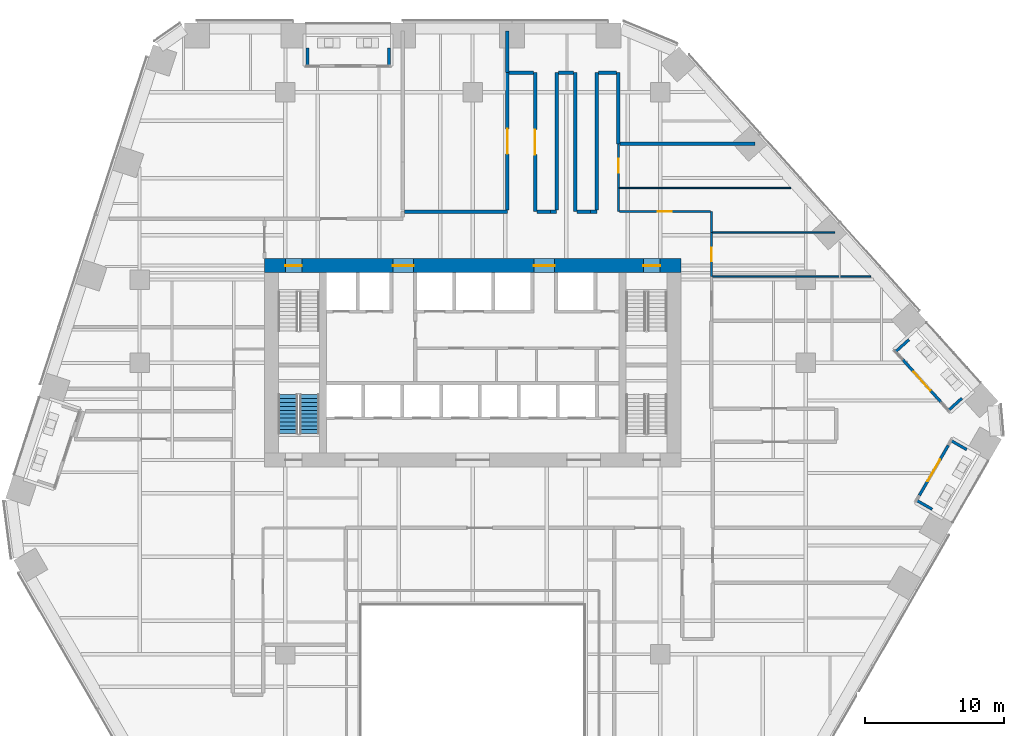
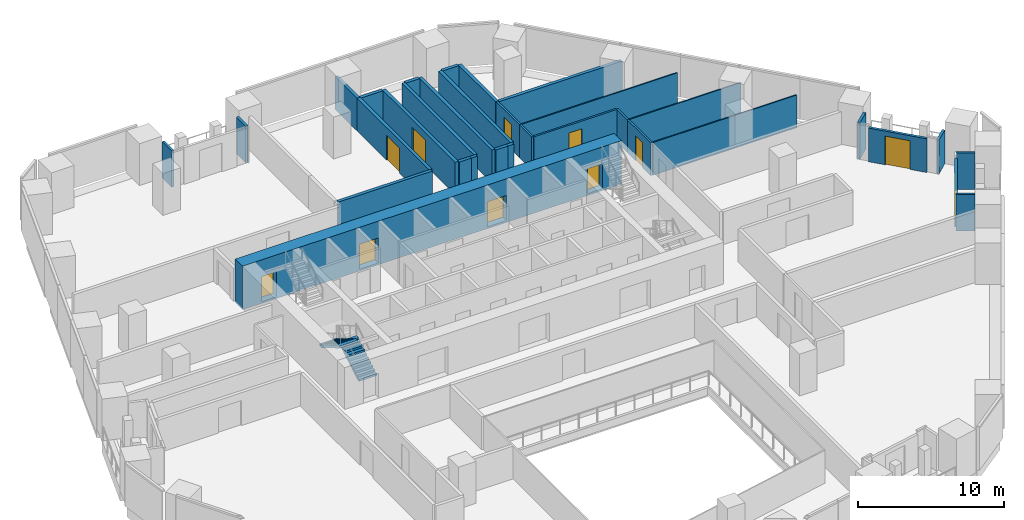
# One storey, part 25 of 31: 33 walls, 11 doors, 2 stair flights, 11 openings, 1 element without a shape of its own.
"""IFC4 building model written with IfcOpenShell, lengths in metres."""

import ifcopenshell
import ifcopenshell.guid

model = None  # the IFC model being written
_history = None  # IfcOwnerHistory: only IFC2X3 demands one
_inside = {}  # id of a spatial element -> (the spatial element, [elements in it])
_under = {}  # id of a project, library or spatial element -> (it, [spatial elements below it])
_declared = {}  # id of a project -> (the project, [libraries it declares])
_typed = {}  # id of a type object -> (the type object, [elements of that type])
_made_of = {}  # id of a material, layer set ... -> (it, [elements and type objects made of it])


def new_model(schema):
    """Start an empty IFC model of exactly this schema.

    Asked for "IFC4X3", IfcOpenShell would pick the latest addendum, in which some entities
    have other attributes; the version numbers below select the first issue.
    IFC2X3 requires an IfcOwnerHistory on every rooted entity: one is made here for all.
    """
    global model, _history
    if schema == "IFC4X3":
        model = ifcopenshell.file(schema_version=(4, 3, 0, 0))
    else:
        model = ifcopenshell.file(schema=schema)
    _inside.clear()
    _under.clear()
    _declared.clear()
    _typed.clear()
    _made_of.clear()
    _history = None
    if model.schema == "IFC2X3":
        org = make("IfcOrganization", Name="unknown")
        user = make(
            "IfcPersonAndOrganization",
            ThePerson=make("IfcPerson", FamilyName="unknown"),
            TheOrganization=org,
        )
        app = make(
            "IfcApplication",
            ApplicationDeveloper=org,
            Version="unknown",
            ApplicationFullName="unknown",
            ApplicationIdentifier="unknown",
        )
        _history = make(
            "IfcOwnerHistory",
            OwningUser=user,
            OwningApplication=app,
            ChangeAction="ADDED",
            CreationDate=0,
        )
    return model


def make(cls, **values):
    """One entity of the class cls with the attributes given. An attribute that is None is left unset."""
    return model.create_entity(
        cls, **{name: value for name, value in values.items() if value is not None}
    )


def rooted(cls, **values):
    """An entity with a GlobalId (a new one), such as an element, a storey or a relation."""
    return make(cls, GlobalId=ifcopenshell.guid.new(), OwnerHistory=_history, **values)


def si_unit(unit_type, name, prefix=None):
    """IfcSIUnit, for example si_unit("LENGTHUNIT", "METRE", prefix="MILLI")."""
    return make("IfcSIUnit", UnitType=unit_type, Prefix=prefix, Name=name)


def assignment(units):
    """IfcUnitAssignment: the units of a project."""
    return None if units is None else make("IfcUnitAssignment", Units=units)


def point(xyz):
    """IfcCartesianPoint."""
    return None if xyz is None else make("IfcCartesianPoint", Coordinates=xyz)


def direction(xyz):
    """IfcDirection."""
    return None if xyz is None else make("IfcDirection", DirectionRatios=xyz)


def frame(location, z_axis=None, x_axis=None):
    """IfcAxis2Placement3D, a coordinate frame: its origin and axes. An axis left out is left unset."""
    return make(
        "IfcAxis2Placement3D",
        Location=point(location),
        Axis=direction(z_axis),
        RefDirection=direction(x_axis),
    )


def frame_2d(location, x_axis=None):
    """IfcAxis2Placement2D, a coordinate frame in the plane: its origin and x axis."""
    return make(
        "IfcAxis2Placement2D", Location=point(location), RefDirection=direction(x_axis)
    )


def origin():
    """The frame at (0, 0, 0) with its axes left unset."""
    return frame((0.0, 0.0, 0.0))


def place(relative_to, where):
    """IfcLocalPlacement: puts the frame where relative to a parent placement (None: the world)."""
    return make(
        "IfcLocalPlacement", PlacementRelTo=relative_to, RelativePlacement=where
    )


def context(
    kind, dimensions, precision=None, world=None, true_north=None, identifier=None
):
    """IfcGeometricRepresentationContext, for example the 3D "Model" context."""
    return make(
        "IfcGeometricRepresentationContext",
        ContextIdentifier=identifier,
        ContextType=kind,
        CoordinateSpaceDimension=dimensions,
        Precision=precision,
        WorldCoordinateSystem=world,
        TrueNorth=true_north,
    )


def subcontext(parent, identifier, kind, view, scale=None):
    """IfcGeometricRepresentationSubContext, for example "Body" below "Model"."""
    return make(
        "IfcGeometricRepresentationSubContext",
        ContextIdentifier=identifier,
        ContextType=kind,
        ParentContext=parent,
        TargetScale=scale,
        TargetView=view,
    )


def project(units=None, contexts=None):
    """IfcProject with its units and contexts."""
    return rooted(
        "IfcProject",
        Name="project",
        RepresentationContexts=contexts,
        UnitsInContext=assignment(units),
    )


def spatial(cls, under=None, at=None, **own):
    """A site, building, storey or space (cls), placed at a placement, below another one or the project."""
    s = rooted(cls, ObjectPlacement=at, **own)
    if under is not None:
        _under.setdefault(under.id(), (under, []))[1].append(s)
    return s


def polyline(points):
    """IfcPolyline through the points."""
    return make("IfcPolyline", Points=[point(p) for p in points])


def profile(cls, at=None, kind="AREA", **sizes):
    """A parametric profile (cls). Its sizes go by their IFC names, for example OverallWidth=200.0."""
    return make(cls, ProfileType=kind, Position=at, **sizes)


def rectangle(**sizes):
    """IfcRectangleProfileDef."""
    return profile("IfcRectangleProfileDef", **sizes)


def outline(outer, holes=None, kind="AREA"):
    """IfcArbitraryClosedProfileDef: a profile drawn as a closed curve; with holes, ...WithVoids."""
    if holes is None:
        return make("IfcArbitraryClosedProfileDef", ProfileType=kind, OuterCurve=outer)
    return make(
        "IfcArbitraryProfileDefWithVoids",
        ProfileType=kind,
        OuterCurve=outer,
        InnerCurves=holes,
    )


def extrude(swept, where, along, depth):
    """IfcExtrudedAreaSolid: the profile swept, set in the frame where, extruded along a direction by depth."""
    return make(
        "IfcExtrudedAreaSolid",
        SweptArea=swept,
        Position=where,
        ExtrudedDirection=direction(along),
        Depth=depth,
    )


def shape(context_of_items, identifier, shape_type, items):
    """IfcShapeRepresentation: the items that make up one representation, for example the "Body"."""
    return make(
        "IfcShapeRepresentation",
        ContextOfItems=context_of_items,
        RepresentationIdentifier=identifier,
        RepresentationType=shape_type,
        Items=items,
    )


def material(Name=None, Category=None):
    """IfcMaterial."""
    return make("IfcMaterial", Name=Name, Category=Category)


def layer(
    of_material, thickness, ventilated=None, Name=None, Category=None, Priority=None
):
    """IfcMaterialLayer: one layer of a wall or slab, of a material (None: an air gap)."""
    return make(
        "IfcMaterialLayer",
        Material=of_material,
        LayerThickness=thickness,
        IsVentilated=ventilated,
        Name=Name,
        Category=Category,
        Priority=Priority,
    )


def layer_set(layers, Name=None):
    """IfcMaterialLayerSet."""
    return make("IfcMaterialLayerSet", MaterialLayers=layers, LayerSetName=Name)


def made_of(thing, what):
    """Note that an element or type object is made of a material, layer set ...; save() writes the relation."""
    if what is not None:
        _made_of.setdefault(what.id(), (what, []))[1].append(thing)
    return thing


def type_object(cls, material=None, **own):
    """A type object (cls), such as IfcWallType, which elements share."""
    return made_of(rooted(cls, **own), material)


def element(
    cls,
    number,
    at=None,
    inside=None,
    cuts=None,
    type_object=None,
    material=None,
    context=None,
    identifier="Body",
    shape_type=None,
    held_by="IfcProductDefinitionShape",
    body=None,
    shapes=None,
    **own,
):
    """One element of the class cls, such as IfcWall. Its Tag is "e" and its number.

    at: its placement. inside: the storey or other place that contains it. cuts: it is an
    opening in that element (IfcRelVoidsElement). A single representation is given by context,
    identifier, shape_type and body (its items); several are given by shapes. held_by: the class
    of the entity that holds the representations. save() writes the other relations.
    """
    e = rooted(cls, Tag="e%d" % number, ObjectPlacement=at, **own)
    if body is not None:
        shapes = [shape(context, identifier, shape_type, body)]
    if shapes is not None:
        e.Representation = make(held_by, Representations=shapes)
    if inside is not None:
        _inside.setdefault(inside.id(), (inside, []))[1].append(e)
    if cuts is not None:
        rooted(
            "IfcRelVoidsElement", RelatingBuildingElement=cuts, RelatedOpeningElement=e
        )
    if type_object is not None:
        _typed.setdefault(type_object.id(), (type_object, []))[1].append(e)
    return made_of(e, material)


def fill(opening, filler):
    """IfcRelFillsElement: the door or window that sits in an opening."""
    return rooted(
        "IfcRelFillsElement",
        RelatingOpeningElement=opening,
        RelatedBuildingElement=filler,
    )


def aggregate(whole, parts):
    """IfcRelAggregates: a whole, such as a stair, and the parts it consists of."""
    return rooted("IfcRelAggregates", RelatingObject=whole, RelatedObjects=parts)


def save(model, path):
    """Write the relations noted so far, then the file.

    IfcRelAggregates (storeys below a building ...), IfcRelContainedInSpatialStructure (elements
    in a storey), IfcRelDefinesByType, IfcRelAssociatesMaterial and IfcRelDeclares: one each for
    every whole, place, type object, material and project.
    """
    for whole, parts in _under.values():
        aggregate(whole, parts)
    for where, things in _inside.values():
        rooted(
            "IfcRelContainedInSpatialStructure",
            RelatedElements=things,
            RelatingStructure=where,
        )
    for kind, things in _typed.values():
        rooted("IfcRelDefinesByType", RelatedObjects=things, RelatingType=kind)
    for what, things in _made_of.values():
        rooted("IfcRelAssociatesMaterial", RelatedObjects=things, RelatingMaterial=what)
    for by, libraries in _declared.values():
        rooted("IfcRelDeclares", RelatingContext=by, RelatedDefinitions=libraries)
    model.write(path)


model = new_model("IFC4")

# Units and contexts
model_context = context("Model", 3, precision=1e-05, world=origin(), true_north=direction((0.0, 1.0)))
body_context = subcontext(model_context, "Body", "Model", "MODEL_VIEW")
ifc_project = project(units=[si_unit("LENGTHUNIT", "METRE"), si_unit("AREAUNIT", "SQUARE_METRE"), si_unit("VOLUMEUNIT", "CUBIC_METRE"), si_unit("PLANEANGLEUNIT", "RADIAN"), si_unit("MASSUNIT", "GRAM", prefix="KILO")], contexts=[model_context])

# Site, building, storey
site_placement = place(None, origin())
site = spatial("IfcSite", under=ifc_project, at=site_placement, CompositionType="ELEMENT")
building_placement = place(site_placement, origin())
building = spatial("IfcBuilding", under=site, at=building_placement, Name="Isthmus Gate Tower", CompositionType="ELEMENT")
storey_placement = place(building_placement, frame((0.0, 0.0, 54.25)))
storey = spatial("IfcBuildingStorey", under=building, at=storey_placement, Name="L11", CompositionType="ELEMENT", Elevation=54.25)

# Wall, opening, door
ifc_material_1 = material(Name="Double-leaf acoustic stud wall, fire-rated", Category="gypsum")
ifc_layer_1 = layer(ifc_material_1, 0.25)
ifc_layer_set_1 = layer_set([ifc_layer_1], Name="ACOUSTIC WALL 250 60 MIN")
wall_type_1 = type_object("IfcWallType", Name="ACOUSTIC WALL 250 60 MIN", PredefinedType="PARTITIONING", material=ifc_layer_set_1)
wall_1_placement = place(storey_placement, frame((4.5, 28.39990234375, 0.0), z_axis=(0.0, 0.0, 1.0), x_axis=(0.0, -1.0, 0.0)))
wall_1 = element("IfcWall", 1, at=wall_1_placement, inside=storey, type_object=wall_type_1, Name="L11 Acoustic Wall 250 60 Min", PredefinedType="PARTITIONING", context=body_context, shape_type="SweptSolid", body=[
    extrude(rectangle(XDim=10.0, YDim=0.25, at=frame_2d((5.0, 0.0))), origin(), (0.0, 0.0, 1.0), 2.7412109375),
])
opening_1_placement = place(wall_1_placement, frame((4.10009765625, 0.0, 0.0)))
opening_1 = element("IfcOpeningElement", 2, at=opening_1_placement, cuts=wall_1, Name="Opening DT-T1B-03", PredefinedType="OPENING", context=body_context, shape_type="SweptSolid", body=[
    extrude(rectangle(XDim=1.800048828125, YDim=2.10009765625, at=frame_2d((0.89990234375, 1.050048828125))), frame((0.0, 0.135009765625, 0.0), z_axis=(0.0, -1.0, 0.0), x_axis=(1.0, 0.0, 0.0)), (0.0, 0.0, 1.0), 0.27001953125),
])
ifc_material_2 = material(Name="Solid core timber door leaf, fire-rated", Category="wood")
door_type_1 = type_object("IfcDoorType", Name="FIRE DOOR ACOUSTIC ROOM 1800 X 2100 60 MIN", OperationType="DOUBLE_DOOR_DOUBLE_SWING", PredefinedType="DOOR", material=ifc_material_2)
door_1_placement = place(opening_1_placement, origin())
door_1 = element("IfcDoor", 3, at=door_1_placement, inside=storey, type_object=door_type_1, Name="L11 room door", OperationType="DOUBLE_DOOR_DOUBLE_SWING", OverallHeight=2.10009765625, OverallWidth=1.800048828125, PredefinedType="DOOR", context=body_context, shape_type="SweptSolid", body=[
    extrude(rectangle(XDim=1.800048828125, YDim=2.10009765625, at=frame_2d((0.89990234375, 1.050048828125))), frame((0.0, 0.02490234375, 0.0), z_axis=(0.0, -1.0, 0.0), x_axis=(1.0, 0.0, 0.0)), (0.0, 0.0, 1.0), 0.050048828125),
])
fill(opening_1, door_1)

# Walls
wall_2_placement = place(storey_placement, frame((7.39990234375, 28.39990234375, 0.0), z_axis=(0.0, 0.0, 1.0), x_axis=(0.0, -1.0, 0.0)))
element("IfcWall", 4, at=wall_2_placement, inside=storey, type_object=wall_type_1, Name="L11 Acoustic Wall 250 60 Min", PredefinedType="PARTITIONING", context=body_context, shape_type="SweptSolid", body=[
    extrude(rectangle(XDim=10.0, YDim=0.25, at=frame_2d((5.0, 0.0))), origin(), (0.0, 0.0, 1.0), 2.7412109375),
])
wall_3_placement = place(storey_placement, frame((10.5, 28.39990234375, 0.0), z_axis=(0.0, 0.0, 1.0), x_axis=(0.0, -1.0, 0.0)))
element("IfcWall", 5, at=wall_3_placement, inside=storey, type_object=wall_type_1, Name="L11 Acoustic Wall 250 60 Min", PredefinedType="PARTITIONING", context=body_context, shape_type="SweptSolid", body=[
    extrude(rectangle(XDim=5.116943359375, YDim=0.25, at=frame_2d((2.55859375, 0.0))), origin(), (0.0, 0.0, 1.0), 2.7412109375),
])
wall_4_placement = place(storey_placement, frame((-4.909912109375, 18.39990234375, 0.0), z_axis=(0.0, 0.0, 1.0), x_axis=(1.0, 0.0, 0.0)))
element("IfcWall", 6, at=wall_4_placement, inside=storey, type_object=wall_type_1, Name="L11 Acoustic Wall 250 60 Min", PredefinedType="PARTITIONING", context=body_context, shape_type="SweptSolid", body=[
    extrude(rectangle(XDim=7.409912109375, YDim=0.25, at=frame_2d((3.705078125, 0.0))), origin(), (0.0, 0.0, 1.0), 2.7412109375),
])

# Wall, opening, door
wall_5_placement = place(storey_placement, frame((2.5, 18.52490234375, 0.0), z_axis=(0.0, 0.0, 1.0), x_axis=(0.0, 1.0, 0.0)))
wall_5 = element("IfcWall", 7, at=wall_5_placement, inside=storey, type_object=wall_type_1, Name="L11 Acoustic Wall 250 60 Min", PredefinedType="PARTITIONING", context=body_context, shape_type="SweptSolid", body=[
    extrude(rectangle(XDim=9.875, YDim=0.25, at=frame_2d((4.9375, 0.0))), origin(), (0.0, 0.0, 1.0), 2.7412109375),
])
opening_2_placement = place(wall_5_placement, frame((4.03759765625, 0.0, 0.0)))
opening_2 = element("IfcOpeningElement", 8, at=opening_2_placement, cuts=wall_5, Name="Opening DT-T1B-02", PredefinedType="OPENING", context=body_context, shape_type="SweptSolid", body=[
    extrude(rectangle(XDim=1.800048828125, YDim=2.10009765625, at=frame_2d((0.89990234375, 1.050048828125))), frame((0.0, 0.135009765625, 0.0), z_axis=(0.0, -1.0, 0.0), x_axis=(1.0, 0.0, 0.0)), (0.0, 0.0, 1.0), 0.27001953125),
])
door_2_placement = place(opening_2_placement, origin())
door_2 = element("IfcDoor", 9, at=door_2_placement, inside=storey, type_object=door_type_1, Name="L11 room door", OperationType="DOUBLE_DOOR_DOUBLE_SWING", OverallHeight=2.10009765625, OverallWidth=1.800048828125, PredefinedType="DOOR", context=body_context, shape_type="SweptSolid", body=[
    extrude(rectangle(XDim=1.800048828125, YDim=2.10009765625, at=frame_2d((0.89990234375, 1.050048828125))), frame((0.0, 0.02490234375, 0.0), z_axis=(0.0, -1.0, 0.0), x_axis=(1.0, 0.0, 0.0)), (0.0, 0.0, 1.0), 0.050048828125),
])
fill(opening_2, door_2)

# Walls
wall_6_placement = place(storey_placement, frame((2.498046875, 28.39990234375, 0.0), z_axis=(0.0, 0.0, 1.0), x_axis=(0.0, 1.0, 0.0)))
element("IfcWall", 10, at=wall_6_placement, inside=storey, type_object=wall_type_1, Name="L11 Acoustic Wall 250 60 Min", PredefinedType="PARTITIONING", context=body_context, shape_type="SweptSolid", body=[
    extrude(rectangle(XDim=3.0, YDim=0.25, at=frame_2d((1.5, 0.0))), origin(), (0.0, 0.0, 1.0), 2.7412109375),
])
wall_7_placement = place(storey_placement, frame((2.625, 28.39990234375, 0.0), z_axis=(0.0, 0.0, 1.0), x_axis=(1.0, 0.0, 0.0)))
element("IfcWall", 11, at=wall_7_placement, inside=storey, type_object=wall_type_1, Name="L11 Acoustic Wall 250 60 Min", PredefinedType="PARTITIONING", context=body_context, shape_type="SweptSolid", body=[
    extrude(rectangle(XDim=1.75, YDim=0.25, at=frame_2d((0.875, 0.0))), origin(), (0.0, 0.0, 1.0), 2.7412109375),
])
wall_8_placement = place(storey_placement, frame((4.625, 18.39990234375, 0.0), z_axis=(0.0, 0.0, 1.0), x_axis=(1.0, 0.0, 0.0)))
element("IfcWall", 12, at=wall_8_placement, inside=storey, type_object=wall_type_1, Name="L11 Acoustic Wall 250 60 Min", PredefinedType="PARTITIONING", context=body_context, shape_type="SweptSolid", body=[
    extrude(rectangle(XDim=0.972900390625, YDim=0.25, at=frame_2d((0.486328125, 0.0))), origin(), (0.0, 0.0, 1.0), 2.7412109375),
])
wall_9_placement = place(storey_placement, frame((5.597900390625, 18.39794921875, 0.0), z_axis=(0.0, 0.0, 1.0), x_axis=(1.0, 0.0, 0.0)))
element("IfcWall", 13, at=wall_9_placement, inside=storey, type_object=wall_type_1, Name="L11 Acoustic Wall 250 60 Min", PredefinedType="PARTITIONING", context=body_context, shape_type="SweptSolid", body=[
    extrude(rectangle(XDim=0.4541015625, YDim=0.25, at=frame_2d((0.22705078125, 0.0))), origin(), (0.0, 0.0, 1.0), 2.7412109375),
])
wall_10_placement = place(storey_placement, frame((6.052001953125, 18.52294921875, 0.0), z_axis=(0.0, 0.0, 1.0), x_axis=(0.0, 1.0, 0.0)))
element("IfcWall", 14, at=wall_10_placement, inside=storey, type_object=wall_type_1, Name="L11 Acoustic Wall 250 60 Min", PredefinedType="PARTITIONING", context=body_context, shape_type="SweptSolid", body=[
    extrude(rectangle(XDim=9.876953125, YDim=0.25, at=frame_2d((4.9384765625, 0.0))), origin(), (0.0, 0.0, 1.0), 2.7412109375),
])
wall_11_placement = place(storey_placement, frame((6.177001953125, 28.39990234375, 0.0), z_axis=(0.0, 0.0, 1.0), x_axis=(1.0, 0.0, 0.0)))
element("IfcWall", 15, at=wall_11_placement, inside=storey, type_object=wall_type_1, Name="L11 Acoustic Wall 250 60 Min", PredefinedType="PARTITIONING", context=body_context, shape_type="SweptSolid", body=[
    extrude(rectangle(XDim=1.097900390625, YDim=0.25, at=frame_2d((0.548828125, 0.0))), origin(), (0.0, 0.0, 1.0), 2.7412109375),
])
wall_12_placement = place(storey_placement, frame((7.52490234375, 18.39990234375, 0.0), z_axis=(0.0, 0.0, 1.0), x_axis=(1.0, 0.0, 0.0)))
element("IfcWall", 16, at=wall_12_placement, inside=storey, type_object=wall_type_1, Name="L11 Acoustic Wall 250 60 Min", PredefinedType="PARTITIONING", context=body_context, shape_type="SweptSolid", body=[
    extrude(rectangle(XDim=0.97314453125, YDim=0.25, at=frame_2d((0.486572265625, 0.0))), origin(), (0.0, 0.0, 1.0), 2.7412109375),
])
wall_13_placement = place(storey_placement, frame((8.498046875, 18.39794921875, 0.0), z_axis=(0.0, 0.0, 1.0), x_axis=(1.0, 0.0, 0.0)))
element("IfcWall", 17, at=wall_13_placement, inside=storey, type_object=wall_type_1, Name="L11 Acoustic Wall 250 60 Min", PredefinedType="PARTITIONING", context=body_context, shape_type="SweptSolid", body=[
    extrude(rectangle(XDim=0.453857421875, YDim=0.25, at=frame_2d((0.22705078125, 0.0))), origin(), (0.0, 0.0, 1.0), 2.7412109375),
])
wall_14_placement = place(storey_placement, frame((8.951904296875, 18.52294921875, 0.0), z_axis=(0.0, 0.0, 1.0), x_axis=(0.0, 1.0, 0.0)))
element("IfcWall", 18, at=wall_14_placement, inside=storey, type_object=wall_type_1, Name="L11 Acoustic Wall 250 60 Min", PredefinedType="PARTITIONING", context=body_context, shape_type="SweptSolid", body=[
    extrude(rectangle(XDim=9.876953125, YDim=0.25, at=frame_2d((4.9384765625, 0.0))), origin(), (0.0, 0.0, 1.0), 2.7412109375),
])
wall_15_placement = place(storey_placement, frame((9.076904296875, 28.39990234375, 0.0), z_axis=(0.0, 0.0, 1.0), x_axis=(1.0, 0.0, 0.0)))
element("IfcWall", 19, at=wall_15_placement, inside=storey, type_object=wall_type_1, Name="L11 Acoustic Wall 250 60 Min", PredefinedType="PARTITIONING", context=body_context, shape_type="SweptSolid", body=[
    extrude(rectangle(XDim=1.298095703125, YDim=0.25, at=frame_2d((0.64892578125, 0.0))), origin(), (0.0, 0.0, 1.0), 2.7412109375),
])
wall_16_placement = place(storey_placement, frame((10.625, 23.282958984375, 0.0), z_axis=(0.0, 0.0, 1.0), x_axis=(1.0, 0.0, 0.0)))
element("IfcWall", 20, at=wall_16_placement, inside=storey, type_object=wall_type_1, Name="L11 Acoustic Wall 250 60 Min", PredefinedType="PARTITIONING", context=body_context, shape_type="SweptSolid", body=[
    extrude(rectangle(XDim=9.721923828125, YDim=0.25, at=frame_2d((4.86083984375, 0.0))), origin(), (0.0, 0.0, 1.0), 2.7412109375),
])

# Wall, opening, door
ifc_material_3 = material(Name="Gypsum board on steel studs, fire-rated", Category="steel")
ifc_layer_2 = layer(ifc_material_3, 0.14990234375)
ifc_layer_set_2 = layer_set([ifc_layer_2], Name="CORRIDOR WALL 150 60 MIN")
wall_type_2 = type_object("IfcWallType", Name="CORRIDOR WALL 150 60 MIN", PredefinedType="PARTITIONING", material=ifc_layer_set_2)
wall_17_placement = place(storey_placement, frame((10.5, 23.282958984375, 0.0), z_axis=(0.0, 0.0, 1.0), x_axis=(0.0, -1.0, 0.0)))
wall_17 = element("IfcWall", 21, at=wall_17_placement, inside=storey, type_object=wall_type_2, Name="L11 Corridor Wall 150 60 Min", PredefinedType="PARTITIONING", context=body_context, shape_type="SweptSolid", body=[
    extrude(rectangle(XDim=3.19091796875, YDim=0.14990234375, at=frame_2d((1.595458984375, 0.0))), origin(), (0.0, 0.0, 1.0), 2.7412109375),
])
opening_3_placement = place(wall_17_placement, frame((1.095458984375, 0.0, 0.0)))
opening_3 = element("IfcOpeningElement", 22, at=opening_3_placement, cuts=wall_17, Name="Opening DT-T1B-04", PredefinedType="OPENING", context=body_context, shape_type="SweptSolid", body=[
    extrude(rectangle(XDim=1.0, YDim=2.10009765625, at=frame_2d((0.5, 1.050048828125))), frame((0.0, 0.0849609375, 0.0), z_axis=(0.0, -1.0, 0.0), x_axis=(1.0, 0.0, 0.0)), (0.0, 0.0, 1.0), 0.169921875),
])
ifc_material_4 = material(Name="Solid core timber door leaf, fire-rated", Category="wood")
door_type_2 = type_object("IfcDoorType", Name="FIRE DOOR ROOM 1000 X 2100 60 MIN", OperationType="SINGLE_SWING_LEFT", PredefinedType="DOOR", material=ifc_material_4)
door_3_placement = place(opening_3_placement, origin())
door_3 = element("IfcDoor", 23, at=door_3_placement, inside=storey, type_object=door_type_2, Name="L11 room door", OperationType="SINGLE_SWING_RIGHT", OverallHeight=2.10009765625, OverallWidth=1.0, PredefinedType="DOOR", context=body_context, shape_type="SweptSolid", body=[
    extrude(rectangle(XDim=1.0, YDim=2.10009765625, at=frame_2d((0.5, 1.050048828125))), frame((0.0, 0.02490234375, 0.0), z_axis=(0.0, -1.0, 0.0), x_axis=(1.0, 0.0, 0.0)), (0.0, 0.0, 1.0), 0.050048828125),
])
fill(opening_3, door_3)

# Walls
wall_18_placement = place(storey_placement, frame((10.5, 20.092041015625, 0.0), z_axis=(0.0, 0.0, 1.0), x_axis=(0.0, -1.0, 0.0)))
element("IfcWall", 24, at=wall_18_placement, inside=storey, type_object=wall_type_2, Name="L11 Corridor Wall 150 60 Min", PredefinedType="PARTITIONING", context=body_context, shape_type="SweptSolid", body=[
    extrude(rectangle(XDim=1.692138671875, YDim=0.14990234375, at=frame_2d((0.84619140625, 0.0))), origin(), (0.0, 0.0, 1.0), 2.7412109375),
])
wall_19_placement = place(storey_placement, frame((17.199951171875, 18.39990234375, 0.0), z_axis=(0.0, 0.0, 1.0), x_axis=(0.0, -1.0, 0.0)))
element("IfcWall", 25, at=wall_19_placement, inside=storey, type_object=wall_type_2, Name="L11 Corridor Wall 150 60 Min", PredefinedType="PARTITIONING", context=body_context, shape_type="SweptSolid", body=[
    extrude(rectangle(XDim=1.5, YDim=0.14990234375, at=frame_2d((0.75, 0.0))), origin(), (0.0, 0.0, 1.0), 2.7412109375),
])

# Wall, opening, door
wall_20_placement = place(storey_placement, frame((17.199951171875, 16.89990234375, 0.0), z_axis=(0.0, 0.0, 1.0), x_axis=(0.0, -1.0, 0.0)))
wall_20 = element("IfcWall", 26, at=wall_20_placement, inside=storey, type_object=wall_type_2, Name="L11 Corridor Wall 150 60 Min", PredefinedType="PARTITIONING", context=body_context, shape_type="SweptSolid", body=[
    extrude(rectangle(XDim=3.19091796875, YDim=0.14990234375, at=frame_2d((1.595458984375, 0.0))), origin(), (0.0, 0.0, 1.0), 2.7412109375),
])
opening_4_placement = place(wall_20_placement, frame((1.095458984375, 0.0, 0.0)))
opening_4 = element("IfcOpeningElement", 27, at=opening_4_placement, cuts=wall_20, Name="Opening DT-T1B-06", PredefinedType="OPENING", context=body_context, shape_type="SweptSolid", body=[
    extrude(rectangle(XDim=1.0, YDim=2.10009765625, at=frame_2d((0.5, 1.050048828125))), frame((0.0, 0.0849609375, 0.0), z_axis=(0.0, -1.0, 0.0), x_axis=(1.0, 0.0, 0.0)), (0.0, 0.0, 1.0), 0.169921875),
])
door_4_placement = place(opening_4_placement, origin())
door_4 = element("IfcDoor", 28, at=door_4_placement, inside=storey, type_object=door_type_2, Name="L11 room door", OperationType="SINGLE_SWING_RIGHT", OverallHeight=2.10009765625, OverallWidth=1.0, PredefinedType="DOOR", context=body_context, shape_type="SweptSolid", body=[
    extrude(rectangle(XDim=1.0, YDim=2.10009765625, at=frame_2d((0.5, 1.050048828125))), frame((0.0, 0.02490234375, 0.0), z_axis=(0.0, -1.0, 0.0), x_axis=(1.0, 0.0, 0.0)), (0.0, 0.0, 1.0), 0.050048828125),
])
fill(opening_4, door_4)

wall_21_placement = place(storey_placement, frame((10.574951171875, 18.39990234375, 0.0), z_axis=(0.0, 0.0, 1.0), x_axis=(1.0, 0.0, 0.0)))
wall_21 = element("IfcWall", 29, at=wall_21_placement, inside=storey, type_object=wall_type_2, Name="L11 Corridor Wall 150 60 Min", PredefinedType="PARTITIONING", context=body_context, shape_type="SweptSolid", body=[
    extrude(rectangle(XDim=6.550048828125, YDim=0.14990234375, at=frame_2d((3.27490234375, 0.0))), origin(), (0.0, 0.0, 1.0), 2.7412109375),
])
opening_5_placement = place(wall_21_placement, frame((2.77490234375, 0.0, 0.0)))
opening_5 = element("IfcOpeningElement", 30, at=opening_5_placement, cuts=wall_21, Name="Opening DT-T1B-05", PredefinedType="OPENING", context=body_context, shape_type="SweptSolid", body=[
    extrude(rectangle(XDim=1.0, YDim=2.10009765625, at=frame_2d((0.5, 1.050048828125))), frame((0.0, 0.0849609375, 0.0), z_axis=(0.0, -1.0, 0.0), x_axis=(1.0, 0.0, 0.0)), (0.0, 0.0, 1.0), 0.169921875),
])
door_5_placement = place(opening_5_placement, origin())
door_5 = element("IfcDoor", 31, at=door_5_placement, inside=storey, type_object=door_type_2, Name="L11 room door", OperationType="SINGLE_SWING_RIGHT", OverallHeight=2.10009765625, OverallWidth=1.0, PredefinedType="DOOR", context=body_context, shape_type="SweptSolid", body=[
    extrude(rectangle(XDim=1.0, YDim=2.10009765625, at=frame_2d((0.5, 1.050048828125))), frame((0.0, 0.02490234375, 0.0), z_axis=(0.0, -1.0, 0.0), x_axis=(1.0, 0.0, 0.0)), (0.0, 0.0, 1.0), 0.050048828125),
])
fill(opening_5, door_5)

# Walls
ifc_material_5 = material(Name="Precast concrete C40/50", Category="concrete")
ifc_layer_3 = layer(ifc_material_5, 0.199951171875)
ifc_layer_set_3 = layer_set([ifc_layer_3], Name="LOGGIA WALL 200")
wall_type_3 = type_object("IfcWallType", Name="LOGGIA WALL 200", PredefinedType="SOLIDWALL", material=ifc_layer_set_3)
for number, where, z_axis, x_axis, name in (
    (32, (-6.037109375, 30.199951171875, 0.0), (0.0, 0.0, 1.0), (0.0, -1.0, 0.0), "LOGGIA SIDE WALL"),
    (33, (-11.90673828125, 30.199951171875, 0.0), (0.0, 0.0, 1.0), (0.0, -1.0, 0.0), "LOGGIA SIDE WALL"),
):
    element("IfcWall", number, at=place(storey_placement, frame(where, z_axis=z_axis, x_axis=x_axis)), inside=storey, type_object=wall_type_3, Name=name, PredefinedType="SOLIDWALL", context=body_context, shape_type="SweptSolid", body=[
        extrude(rectangle(XDim=1.283935546875, YDim=0.199951171875, at=frame_2d((0.64208984375, 0.0))), origin(), (0.0, 0.0, 1.0), 3.050048828125),
    ])

# Wall, opening, door
wall_22_placement = place(storey_placement, frame((32.181396484375, -2.06005859375, 0.0), z_axis=(0.0, 0.0, 1.0), x_axis=(0.500043453909, 0.866000314205, 0.0)))
wall_22 = element("IfcWall", 34, at=wall_22_placement, inside=storey, type_object=wall_type_3, Name="LOGGIA BACK WALL", PredefinedType="SOLIDWALL", context=body_context, shape_type="SweptSolid", body=[
    extrude(rectangle(XDim=4.169677734375, YDim=0.199951171875, at=frame_2d((2.0849609375, 0.0))), origin(), (0.0, 0.0, 1.0), 2.820556640625),
])
opening_6_placement = place(wall_22_placement, frame((1.184814453125, 0.0, 0.0)))
opening_6 = element("IfcOpeningElement", 35, at=opening_6_placement, cuts=wall_22, Name="Opening DE11-05", PredefinedType="OPENING", context=body_context, shape_type="SweptSolid", body=[
    extrude(rectangle(XDim=1.800048828125, YDim=2.39990234375, at=frame_2d((0.89990234375, 1.199951171875))), frame((0.0, 0.10986328125, 0.0), z_axis=(0.0, -1.0, 0.0), x_axis=(1.0, 0.0, 0.0)), (0.0, 0.0, 1.0), 0.219970703125),
])
ifc_material_6 = material(Name="Aluminium, pale champagne anodised, laminated glass", Category="aluminium")
door_type_3 = type_object("IfcDoorType", Name="LOGGIA DOOR SLIDING 1800 X 2400", OperationType="DOUBLE_DOOR_SLIDING", PredefinedType="DOOR", material=ifc_material_6)
door_6_placement = place(opening_6_placement, origin())
door_6 = element("IfcDoor", 36, at=door_6_placement, inside=storey, type_object=door_type_3, Name="DOOR DE11-05", OperationType="SINGLE_SWING_LEFT", OverallHeight=2.39990234375, OverallWidth=1.800048828125, PredefinedType="DOOR", context=body_context, shape_type="SweptSolid", body=[
    extrude(rectangle(XDim=1.800048828125, YDim=2.39990234375, at=frame_2d((0.89990234375, 1.199951171875))), frame((0.0, 0.02490234375, 0.0), z_axis=(0.0, -1.0, 0.0), x_axis=(1.0, 0.0, 0.0)), (0.0, 0.0, 1.0), 0.050048828125),
])
fill(opening_6, door_6)

# Walls
for number, where, z_axis, x_axis, name in (
    (37, (33.107421875, -3.056396484375, 0.0), (0.0, 0.0, 1.0), (-0.866093771789, 0.499881564442, 0.0), "LOGGIA SIDE WALL"),
    (38, (35.592041015625, 1.247314453125, 0.0), (0.0, 0.0, 1.0), (-0.86596390011, 0.500106512361, 0.0), "LOGGIA SIDE WALL"),
):
    element("IfcWall", number, at=place(storey_placement, frame(where, z_axis=z_axis, x_axis=x_axis)), inside=storey, type_object=wall_type_3, Name=name, PredefinedType="SOLIDWALL", context=body_context, shape_type="SweptSolid", body=[
        extrude(rectangle(XDim=1.283935546875, YDim=0.199951171875, at=frame_2d((0.64208984375, 0.0))), origin(), (0.0, 0.0, 1.0), 3.050048828125),
    ])

# Wall, opening, door
wall_23_placement = place(storey_placement, frame((33.78125, 4.62744140625, 0.0), z_axis=(0.0, 0.0, 1.0), x_axis=(-0.669138140895, 0.743138041282, 0.0)))
wall_23 = element("IfcWall", 39, at=wall_23_placement, inside=storey, type_object=wall_type_3, Name="LOGGIA BACK WALL", PredefinedType="SOLIDWALL", context=body_context, shape_type="SweptSolid", body=[
    extrude(rectangle(XDim=4.199951171875, YDim=0.199951171875, at=frame_2d((2.10009765625, 0.0))), origin(), (0.0, 0.0, 1.0), 2.820556640625),
])
opening_7_placement = place(wall_23_placement, frame((1.199951171875, 0.0, 0.0)))
opening_7 = element("IfcOpeningElement", 40, at=opening_7_placement, cuts=wall_23, Name="Opening DE11-06", PredefinedType="OPENING", context=body_context, shape_type="SweptSolid", body=[
    extrude(rectangle(XDim=1.800048828125, YDim=2.39990234375, at=frame_2d((0.89990234375, 1.199951171875))), frame((0.0, 0.10986328125, 0.0), z_axis=(0.0, -1.0, 0.0), x_axis=(1.0, 0.0, 0.0)), (0.0, 0.0, 1.0), 0.219970703125),
])
door_7_placement = place(opening_7_placement, origin())
door_7 = element("IfcDoor", 41, at=door_7_placement, inside=storey, type_object=door_type_3, Name="DOOR DE11-06", OperationType="SINGLE_SWING_LEFT", OverallHeight=2.39990234375, OverallWidth=1.800048828125, PredefinedType="DOOR", context=body_context, shape_type="SweptSolid", body=[
    extrude(rectangle(XDim=1.800048828125, YDim=2.39990234375, at=frame_2d((0.89990234375, 1.199951171875))), frame((0.0, 0.02490234375, 0.0), z_axis=(0.0, -1.0, 0.0), x_axis=(1.0, 0.0, 0.0)), (0.0, 0.0, 1.0), 0.050048828125),
])
fill(opening_7, door_7)

# Walls
wall_24_placement = place(storey_placement, frame((35.24560546875, 4.94384765625, 0.0), z_axis=(0.0, 0.0, 1.0), x_axis=(-0.743123928629, -0.669153813932, 0.0)))
element("IfcWall", 42, at=wall_24_placement, inside=storey, type_object=wall_type_3, Name="LOGGIA SIDE WALL", PredefinedType="SOLIDWALL", context=body_context, shape_type="SweptSolid", body=[
    extrude(rectangle(XDim=1.283935546875, YDim=0.199951171875, at=frame_2d((0.64208984375, 0.0))), origin(), (0.0, 0.0, 1.0), 2.820556640625),
])
wall_25_placement = place(storey_placement, frame((31.438720703125, 9.171875, 0.0), z_axis=(0.0, 0.0, 1.0), x_axis=(-0.743123928629, -0.669153813932, 0.0)))
element("IfcWall", 43, at=wall_25_placement, inside=storey, type_object=wall_type_3, Name="LOGGIA SIDE WALL", PredefinedType="SOLIDWALL", context=body_context, shape_type="SweptSolid", body=[
    extrude(rectangle(XDim=1.283935546875, YDim=0.199951171875, at=frame_2d((0.64208984375, 0.0))), origin(), (0.0, 0.0, 1.0), 3.050048828125),
])

# Wall, openings, doors
ifc_material_7 = material(Name="Concrete f'c 70 MPa", Category="concrete")
ifc_layer_4 = layer(ifc_material_7, 1.0)
ifc_layer_set_4 = layer_set([ifc_layer_4], Name="RC CORE WALL 1000 F'C 70")
wall_type_4 = type_object("IfcWallType", Name="RC CORE WALL 1000 F'C 70", PredefinedType="SOLIDWALL", material=ifc_layer_set_4)
wall_26_placement = place(storey_placement, frame((-15.0, 14.5, -0.14990234375), z_axis=(0.0, 0.0, 1.0), x_axis=(1.0, 0.0, 0.0)))
wall_26 = element("IfcWall", 44, at=wall_26_placement, inside=storey, type_object=wall_type_4, Name="str-corewall-L11-N", PredefinedType="SOLIDWALL", context=body_context, shape_type="SweptSolid", body=[
    extrude(rectangle(XDim=30.0, YDim=1.0, at=frame_2d((15.0, 0.0))), origin(), (0.0, 0.0, 1.0), 3.64990234375),
])
opening_8_placement = place(wall_26_placement, frame((9.25, 0.0, 0.14990234375)))
opening_8 = element("IfcOpeningElement", 45, at=opening_8_placement, cuts=wall_26, Name="Opening DC-A04-11", PredefinedType="OPENING", context=body_context, shape_type="SweptSolid", body=[
    extrude(rectangle(XDim=1.5, YDim=2.10009765625, at=frame_2d((0.75, 1.050048828125))), frame((0.0, 0.510009765625, 0.0), z_axis=(0.0, -1.0, 0.0), x_axis=(1.0, 0.0, 0.0)), (0.0, 0.0, 1.0), 1.02001953125),
])
opening_9_placement = place(wall_26_placement, frame((19.39990234375, 0.0, 0.14990234375)))
opening_9 = element("IfcOpeningElement", 46, at=opening_9_placement, cuts=wall_26, Name="Opening DC-A04-12", PredefinedType="OPENING", context=body_context, shape_type="SweptSolid", body=[
    extrude(rectangle(XDim=1.5, YDim=2.10009765625, at=frame_2d((0.75, 1.050048828125))), frame((0.0, 0.510009765625, 0.0), z_axis=(0.0, -1.0, 0.0), x_axis=(1.0, 0.0, 0.0)), (0.0, 0.0, 1.0), 1.02001953125),
])
opening_10_placement = place(wall_26_placement, frame((1.5, 0.0, 0.14990234375)))
opening_10 = element("IfcOpeningElement", 47, at=opening_10_placement, cuts=wall_26, Name="Opening DC-A04-13", PredefinedType="OPENING", context=body_context, shape_type="SweptSolid", body=[
    extrude(rectangle(XDim=1.199951171875, YDim=2.10009765625, at=frame_2d((0.60009765625, 1.050048828125))), frame((0.0, 0.510009765625, 0.0), z_axis=(0.0, -1.0, 0.0), x_axis=(1.0, 0.0, 0.0)), (0.0, 0.0, 1.0), 1.02001953125),
])
opening_11_placement = place(wall_26_placement, frame((27.300048828125, 0.0, 0.14990234375)))
opening_11 = element("IfcOpeningElement", 48, at=opening_11_placement, cuts=wall_26, Name="Opening DC-A04-14", PredefinedType="OPENING", context=body_context, shape_type="SweptSolid", body=[
    extrude(rectangle(XDim=1.199951171875, YDim=2.10009765625, at=frame_2d((0.60009765625, 1.050048828125))), frame((0.0, 0.510009765625, 0.0), z_axis=(0.0, -1.0, 0.0), x_axis=(1.0, 0.0, 0.0)), (0.0, 0.0, 1.0), 1.02001953125),
])
ifc_material_8 = material(Name="Steel door leaf, fire-rated", Category="steel")
door_type_4 = type_object("IfcDoorType", Name="LOBBY FIRE DOOR 1500 X 2100 60 MIN", OperationType="DOUBLE_DOOR_SINGLE_SWING", PredefinedType="DOOR", material=ifc_material_8)
door_8_placement = place(opening_9_placement, origin())
door_8 = element("IfcDoor", 49, at=door_8_placement, inside=storey, type_object=door_type_4, Name="Lobby Door PN-E", OperationType="DOUBLE_DOOR_SINGLE_SWING", OverallHeight=2.10009765625, OverallWidth=1.5, PredefinedType="DOOR", context=body_context, shape_type="SweptSolid", body=[
    extrude(rectangle(XDim=1.5, YDim=2.10009765625, at=frame_2d((0.75, 1.050048828125))), frame((0.0, 0.02490234375, 0.0), z_axis=(0.0, -1.0, 0.0), x_axis=(1.0, 0.0, 0.0)), (0.0, 0.0, 1.0), 0.050048828125),
])
fill(opening_9, door_8)
ifc_material_9 = material(Name="Steel door leaf, fire-rated", Category="steel")
door_type_5 = type_object("IfcDoorType", Name="LOBBY FIRE DOOR 1500 X 2100 90 MIN", OperationType="DOUBLE_DOOR_SINGLE_SWING", PredefinedType="DOOR", material=ifc_material_9)
door_9_placement = place(opening_8_placement, origin())
door_9 = element("IfcDoor", 50, at=door_9_placement, inside=storey, type_object=door_type_5, Name="Lobby Door PN-W", OperationType="DOUBLE_DOOR_SINGLE_SWING", OverallHeight=2.10009765625, OverallWidth=1.5, PredefinedType="DOOR", context=body_context, shape_type="SweptSolid", body=[
    extrude(rectangle(XDim=1.5, YDim=2.10009765625, at=frame_2d((0.75, 1.050048828125))), frame((0.0, 0.02490234375, 0.0), z_axis=(0.0, -1.0, 0.0), x_axis=(1.0, 0.0, 0.0)), (0.0, 0.0, 1.0), 0.050048828125),
])
fill(opening_8, door_9)
ifc_material_10 = material(Name="Steel door leaf, fire-rated", Category="steel")
door_type_6 = type_object("IfcDoorType", Name="STAIR FIRE DOOR 1200 X 2100 90 MIN", OperationType="SINGLE_SWING_LEFT", PredefinedType="DOOR", material=ifc_material_10)
door_10_placement = place(opening_10_placement, origin())
door_10 = element("IfcDoor", 51, at=door_10_placement, inside=storey, type_object=door_type_6, Name="Exit Stair 1 Door", OperationType="SINGLE_SWING_RIGHT", OverallHeight=2.10009765625, OverallWidth=1.199951171875, PredefinedType="DOOR", context=body_context, shape_type="SweptSolid", body=[
    extrude(rectangle(XDim=1.199951171875, YDim=2.10009765625, at=frame_2d((0.60009765625, 1.050048828125))), frame((0.0, 0.02490234375, 0.0), z_axis=(0.0, -1.0, 0.0), x_axis=(1.0, 0.0, 0.0)), (0.0, 0.0, 1.0), 0.050048828125),
])
fill(opening_10, door_10)
door_11_placement = place(opening_11_placement, origin())
door_11 = element("IfcDoor", 52, at=door_11_placement, inside=storey, type_object=door_type_6, Name="Exit Stair 2 Door", OperationType="SINGLE_SWING_LEFT", OverallHeight=2.10009765625, OverallWidth=1.199951171875, PredefinedType="DOOR", context=body_context, shape_type="SweptSolid", body=[
    extrude(rectangle(XDim=1.199951171875, YDim=2.10009765625, at=frame_2d((0.60009765625, 1.050048828125))), frame((0.0, 0.02490234375, 0.0), z_axis=(0.0, -1.0, 0.0), x_axis=(1.0, 0.0, 0.0)), (0.0, 0.0, 1.0), 0.050048828125),
])
fill(opening_11, door_11)

# Walls
ifc_material_11 = material(Name="Gypsum board on steel studs, fire-rated", Category="steel")
ifc_layer_5 = layer(ifc_material_11, 0.10009765625)
ifc_layer_set_5 = layer_set([ifc_layer_5], Name="ROOM PARTITION 100 30 MIN")
wall_type_5 = type_object("IfcWallType", Name="ROOM PARTITION 100 30 MIN", PredefinedType="PARTITIONING", material=ifc_layer_set_5)
wall_27_placement = place(storey_placement, frame((10.574951171875, 20.092041015625, 0.0), z_axis=(0.0, 0.0, 1.0), x_axis=(1.0, 0.0, 0.0)))
element("IfcWall", 53, at=wall_27_placement, inside=storey, type_object=wall_type_5, Name="L11 Room Partition 100 30 Min", PredefinedType="PARTITIONING", context=body_context, shape_type="SweptSolid", body=[
    extrude(rectangle(XDim=12.345947265625, YDim=0.10009765625, at=frame_2d((6.1728515625, 0.0))), origin(), (0.0, 0.0, 1.0), 2.7412109375),
])
wall_28_placement = place(storey_placement, frame((17.27490234375, 16.89990234375, 0.0), z_axis=(0.0, 0.0, 1.0), x_axis=(1.0, 0.0, 0.0)))
element("IfcWall", 54, at=wall_28_placement, inside=storey, type_object=wall_type_5, Name="L11 Room Partition 100 30 Min", PredefinedType="PARTITIONING", context=body_context, shape_type="SweptSolid", body=[
    extrude(rectangle(XDim=8.820068359375, YDim=0.10009765625, at=frame_2d((4.41015625, 0.0))), origin(), (0.0, 0.0, 1.0), 2.7412109375),
])
wall_29_placement = place(storey_placement, frame((17.27490234375, 13.708984375, 0.0), z_axis=(0.0, 0.0, 1.0), x_axis=(1.0, 0.0, 0.0)))
element("IfcWall", 55, at=wall_29_placement, inside=storey, type_object=wall_type_5, Name="L11 Room Partition 100 30 Min", PredefinedType="PARTITIONING", context=body_context, shape_type="SweptSolid", body=[
    extrude(rectangle(XDim=11.39306640625, YDim=0.10009765625, at=frame_2d((5.696533203125, 0.0))), origin(), (0.0, 0.0, 1.0), 2.7412109375),
])

# Stair, stair flights
ifc_material_12 = material(Name="Concrete f'c 40 MPa", Category="concrete")
stair_type = type_object("IfcStairType", Name="CORE STAIR 22 RISERS", PredefinedType="HALF_TURN_STAIR", material=ifc_material_12)
stair_placement = place(storey_placement, origin())
stair = element("IfcStair", 56, at=stair_placement, inside=storey, type_object=stair_type, Name="L11 Exit Stair 7", PredefinedType="HALF_TURN_STAIR")
ifc_material_13 = material(Name="Concrete f'c 40 MPa", Category="concrete")
stair_flight_type = type_object("IfcStairFlightType", Name="STAIR FLIGHT RC 1400", PredefinedType="STRAIGHT", material=ifc_material_13)
stair_flight_1_placement = place(storey_placement, frame((-11.75, 2.39990234375, 0.0), z_axis=(0.0, 0.0, 1.0), x_axis=(0.0, 1.0, 0.0)))
stair_flight_1 = element("IfcStairFlight", 57, at=stair_flight_1_placement, type_object=stair_flight_type, Name="ST7 flight 1", NumberOfRisers=11, NumberOfTreads=10, PredefinedType="STRAIGHT", RiserHeight=0.165909091, TreadLength=0.28, context=body_context, shape_type="SweptSolid", body=[
    extrude(outline(polyline([(0.0, 0.0), (0.0, 0.166015625), (0.280029296875, 0.166015625), (0.280029296875, 0.331787109375), (0.56005859375, 0.331787109375), (0.56005859375, 0.497802734375), (0.840087890625, 0.497802734375), (0.840087890625, 0.66357421875), (1.1201171875, 0.66357421875), (1.1201171875, 0.82958984375), (1.39990234375, 0.82958984375), (1.39990234375, 0.995361328125), (1.679931640625, 0.995361328125), (1.679931640625, 1.161376953125), (1.9599609375, 1.161376953125), (1.9599609375, 1.327392578125), (2.239990234375, 1.327392578125), (2.239990234375, 1.4931640625), (2.52001953125, 1.4931640625), (2.52001953125, 1.6591796875), (2.800048828125, 1.6591796875), (2.800048828125, 1.824951171875), (2.800048828125, 1.48486328125), (0.2939453125, 0.0), (0.0, 0.0)])), frame((0.0, 0.699951171875, 0.0), z_axis=(0.0, -1.0, 0.0), x_axis=(1.0, 0.0, 0.0)), (0.0, 0.0, 1.0), 1.39990234375),
])
stair_flight_2_placement = place(storey_placement, frame((-13.300048828125, 5.199951171875, 1.824951171875), z_axis=(0.0, 0.0, 1.0), x_axis=(0.0, -1.0, 0.0)))
stair_flight_2 = element("IfcStairFlight", 58, at=stair_flight_2_placement, type_object=stair_flight_type, Name="ST7 flight 2", NumberOfRisers=11, NumberOfTreads=10, PredefinedType="STRAIGHT", RiserHeight=0.165909091, TreadLength=0.28, context=body_context, shape_type="SweptSolid", body=[
    extrude(outline(polyline([(0.0, 0.0), (0.0, 0.166015625), (0.280029296875, 0.166015625), (0.280029296875, 0.331787109375), (0.56005859375, 0.331787109375), (0.56005859375, 0.497802734375), (0.840087890625, 0.497802734375), (0.840087890625, 0.66357421875), (1.1201171875, 0.66357421875), (1.1201171875, 0.82958984375), (1.39990234375, 0.82958984375), (1.39990234375, 0.995361328125), (1.679931640625, 0.995361328125), (1.679931640625, 1.161376953125), (1.9599609375, 1.161376953125), (1.9599609375, 1.327392578125), (2.239990234375, 1.327392578125), (2.239990234375, 1.4931640625), (2.52001953125, 1.4931640625), (2.52001953125, 1.6591796875), (2.800048828125, 1.6591796875), (2.800048828125, 1.824951171875), (2.800048828125, 1.48486328125), (0.2939453125, 0.0), (0.0, 0.0)])), frame((0.0, 0.699951171875, 0.0), z_axis=(0.0, -1.0, 0.0), x_axis=(1.0, 0.0, 0.0)), (0.0, 0.0, 1.0), 1.39990234375),
])
aggregate(stair, [stair_flight_1, stair_flight_2])

save(model, "model.ifc")
